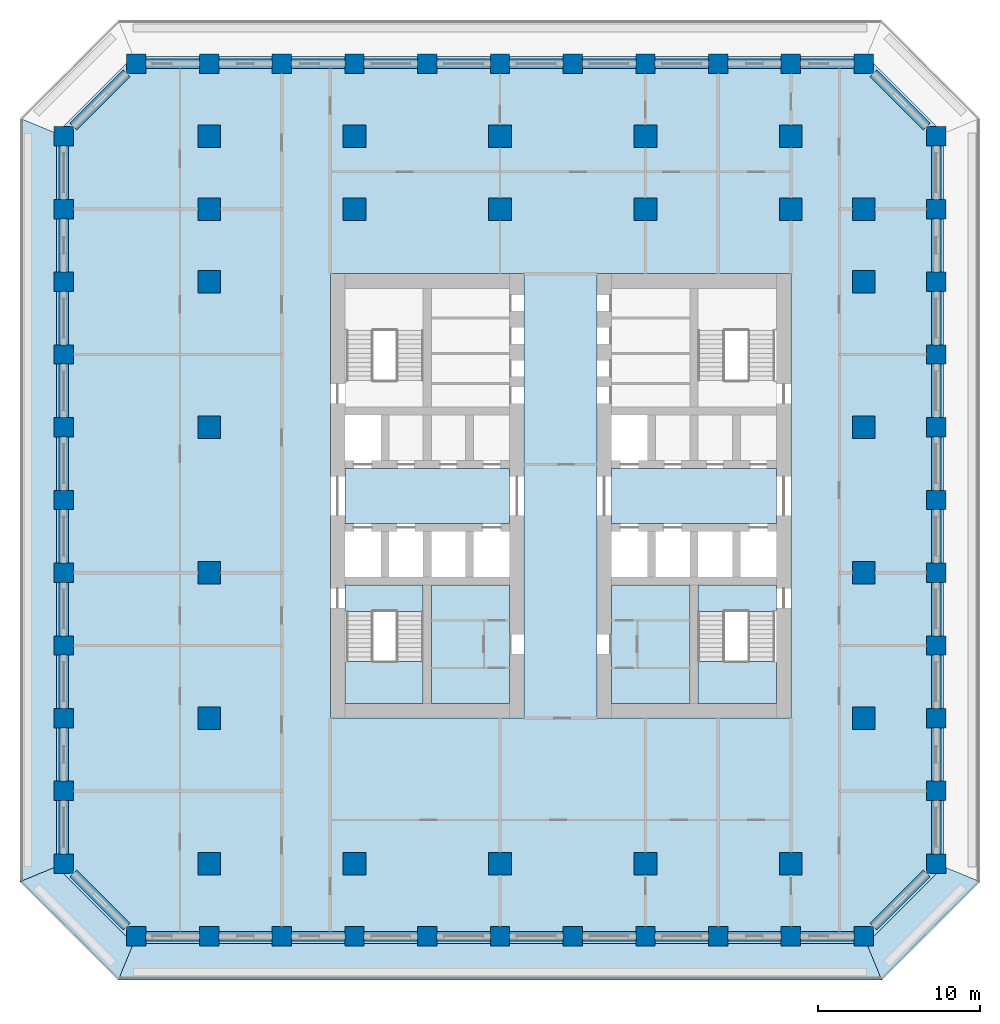
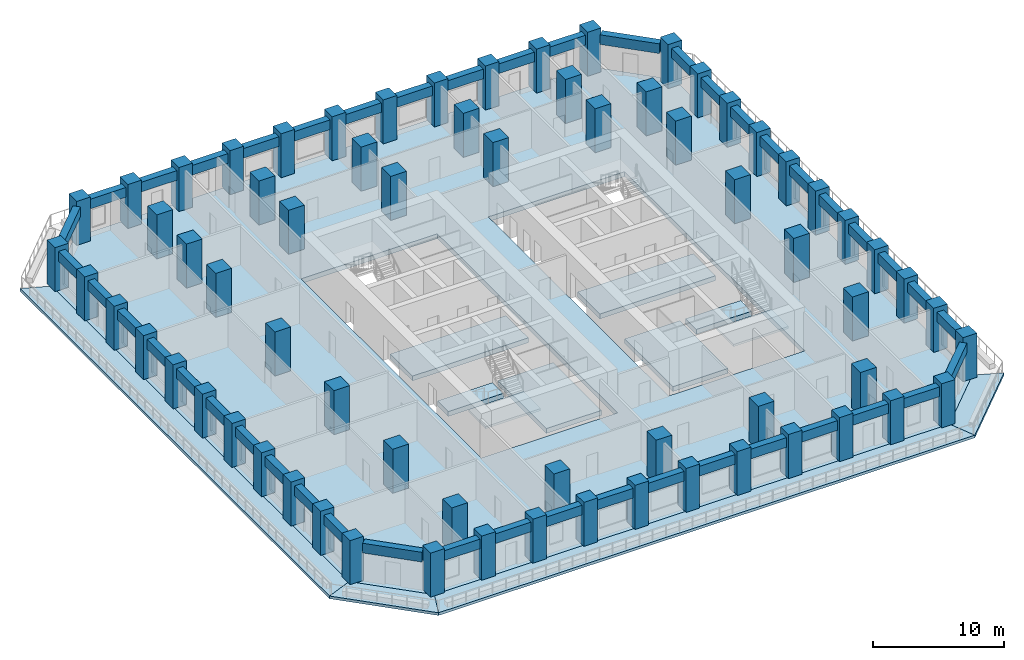
# One storey, part 1 of 16: 68 columns, 44 beams, 13 slabs, 2 elements without a shape of their own.
"""IFC4 building model written with IfcOpenShell, lengths in metres."""

import ifcopenshell
import ifcopenshell.guid

model = None  # the IFC model being written
_history = None  # IfcOwnerHistory: only IFC2X3 demands one
_inside = {}  # id of a spatial element -> (the spatial element, [elements in it])
_under = {}  # id of a project, library or spatial element -> (it, [spatial elements below it])
_declared = {}  # id of a project -> (the project, [libraries it declares])
_typed = {}  # id of a type object -> (the type object, [elements of that type])
_made_of = {}  # id of a material, layer set ... -> (it, [elements and type objects made of it])


def new_model(schema):
    """Start an empty IFC model of exactly this schema.

    Asked for "IFC4X3", IfcOpenShell would pick the latest addendum, in which some entities
    have other attributes; the version numbers below select the first issue.
    IFC2X3 requires an IfcOwnerHistory on every rooted entity: one is made here for all.
    """
    global model, _history
    if schema == "IFC4X3":
        model = ifcopenshell.file(schema_version=(4, 3, 0, 0))
    else:
        model = ifcopenshell.file(schema=schema)
    _inside.clear()
    _under.clear()
    _declared.clear()
    _typed.clear()
    _made_of.clear()
    _history = None
    if model.schema == "IFC2X3":
        org = make("IfcOrganization", Name="unknown")
        user = make(
            "IfcPersonAndOrganization",
            ThePerson=make("IfcPerson", FamilyName="unknown"),
            TheOrganization=org,
        )
        app = make(
            "IfcApplication",
            ApplicationDeveloper=org,
            Version="unknown",
            ApplicationFullName="unknown",
            ApplicationIdentifier="unknown",
        )
        _history = make(
            "IfcOwnerHistory",
            OwningUser=user,
            OwningApplication=app,
            ChangeAction="ADDED",
            CreationDate=0,
        )
    return model


def make(cls, **values):
    """One entity of the class cls with the attributes given. An attribute that is None is left unset."""
    return model.create_entity(
        cls, **{name: value for name, value in values.items() if value is not None}
    )


def rooted(cls, **values):
    """An entity with a GlobalId (a new one), such as an element, a storey or a relation."""
    return make(cls, GlobalId=ifcopenshell.guid.new(), OwnerHistory=_history, **values)


def si_unit(unit_type, name, prefix=None):
    """IfcSIUnit, for example si_unit("LENGTHUNIT", "METRE", prefix="MILLI")."""
    return make("IfcSIUnit", UnitType=unit_type, Prefix=prefix, Name=name)


def assignment(units):
    """IfcUnitAssignment: the units of a project."""
    return None if units is None else make("IfcUnitAssignment", Units=units)


def point(xyz):
    """IfcCartesianPoint."""
    return None if xyz is None else make("IfcCartesianPoint", Coordinates=xyz)


def direction(xyz):
    """IfcDirection."""
    return None if xyz is None else make("IfcDirection", DirectionRatios=xyz)


def frame(location, z_axis=None, x_axis=None):
    """IfcAxis2Placement3D, a coordinate frame: its origin and axes. An axis left out is left unset."""
    return make(
        "IfcAxis2Placement3D",
        Location=point(location),
        Axis=direction(z_axis),
        RefDirection=direction(x_axis),
    )


def frame_2d(location, x_axis=None):
    """IfcAxis2Placement2D, a coordinate frame in the plane: its origin and x axis."""
    return make(
        "IfcAxis2Placement2D", Location=point(location), RefDirection=direction(x_axis)
    )


def origin():
    """The frame at (0, 0, 0) with its axes left unset."""
    return frame((0.0, 0.0, 0.0))


def origin_2d():
    """The frame at (0, 0) in the plane with its x axis left unset."""
    return frame_2d((0.0, 0.0))


def place(relative_to, where):
    """IfcLocalPlacement: puts the frame where relative to a parent placement (None: the world)."""
    return make(
        "IfcLocalPlacement", PlacementRelTo=relative_to, RelativePlacement=where
    )


def context(
    kind, dimensions, precision=None, world=None, true_north=None, identifier=None
):
    """IfcGeometricRepresentationContext, for example the 3D "Model" context."""
    return make(
        "IfcGeometricRepresentationContext",
        ContextIdentifier=identifier,
        ContextType=kind,
        CoordinateSpaceDimension=dimensions,
        Precision=precision,
        WorldCoordinateSystem=world,
        TrueNorth=true_north,
    )


def subcontext(parent, identifier, kind, view, scale=None):
    """IfcGeometricRepresentationSubContext, for example "Body" below "Model"."""
    return make(
        "IfcGeometricRepresentationSubContext",
        ContextIdentifier=identifier,
        ContextType=kind,
        ParentContext=parent,
        TargetScale=scale,
        TargetView=view,
    )


def project(units=None, contexts=None):
    """IfcProject with its units and contexts."""
    return rooted(
        "IfcProject",
        Name="project",
        RepresentationContexts=contexts,
        UnitsInContext=assignment(units),
    )


def spatial(cls, under=None, at=None, **own):
    """A site, building, storey or space (cls), placed at a placement, below another one or the project."""
    s = rooted(cls, ObjectPlacement=at, **own)
    if under is not None:
        _under.setdefault(under.id(), (under, []))[1].append(s)
    return s


def polyline(points):
    """IfcPolyline through the points."""
    return make("IfcPolyline", Points=[point(p) for p in points])


def profile(cls, at=None, kind="AREA", **sizes):
    """A parametric profile (cls). Its sizes go by their IFC names, for example OverallWidth=200.0."""
    return make(cls, ProfileType=kind, Position=at, **sizes)


def rectangle(**sizes):
    """IfcRectangleProfileDef."""
    return profile("IfcRectangleProfileDef", **sizes)


def outline(outer, holes=None, kind="AREA"):
    """IfcArbitraryClosedProfileDef: a profile drawn as a closed curve; with holes, ...WithVoids."""
    if holes is None:
        return make("IfcArbitraryClosedProfileDef", ProfileType=kind, OuterCurve=outer)
    return make(
        "IfcArbitraryProfileDefWithVoids",
        ProfileType=kind,
        OuterCurve=outer,
        InnerCurves=holes,
    )


def extrude(swept, where, along, depth):
    """IfcExtrudedAreaSolid: the profile swept, set in the frame where, extruded along a direction by depth."""
    return make(
        "IfcExtrudedAreaSolid",
        SweptArea=swept,
        Position=where,
        ExtrudedDirection=direction(along),
        Depth=depth,
    )


def shape(context_of_items, identifier, shape_type, items):
    """IfcShapeRepresentation: the items that make up one representation, for example the "Body"."""
    return make(
        "IfcShapeRepresentation",
        ContextOfItems=context_of_items,
        RepresentationIdentifier=identifier,
        RepresentationType=shape_type,
        Items=items,
    )


def material(Name=None, Category=None):
    """IfcMaterial."""
    return make("IfcMaterial", Name=Name, Category=Category)


def layer(
    of_material, thickness, ventilated=None, Name=None, Category=None, Priority=None
):
    """IfcMaterialLayer: one layer of a wall or slab, of a material (None: an air gap)."""
    return make(
        "IfcMaterialLayer",
        Material=of_material,
        LayerThickness=thickness,
        IsVentilated=ventilated,
        Name=Name,
        Category=Category,
        Priority=Priority,
    )


def layer_set(layers, Name=None):
    """IfcMaterialLayerSet."""
    return make("IfcMaterialLayerSet", MaterialLayers=layers, LayerSetName=Name)


def material_profile(
    of_material, cross_section, Name=None, Category=None, Priority=None
):
    """IfcMaterialProfile: a cross section and its material."""
    return make(
        "IfcMaterialProfile",
        Name=Name,
        Material=of_material,
        Profile=cross_section,
        Priority=Priority,
        Category=Category,
    )


def profile_set(profiles, Name=None, composite=None):
    """IfcMaterialProfileSet."""
    return make(
        "IfcMaterialProfileSet",
        Name=Name,
        MaterialProfiles=profiles,
        CompositeProfile=composite,
    )


def made_of(thing, what):
    """Note that an element or type object is made of a material, layer set ...; save() writes the relation."""
    if what is not None:
        _made_of.setdefault(what.id(), (what, []))[1].append(thing)
    return thing


def type_object(cls, material=None, **own):
    """A type object (cls), such as IfcWallType, which elements share."""
    return made_of(rooted(cls, **own), material)


def element(
    cls,
    number,
    at=None,
    inside=None,
    cuts=None,
    type_object=None,
    material=None,
    context=None,
    identifier="Body",
    shape_type=None,
    held_by="IfcProductDefinitionShape",
    body=None,
    shapes=None,
    **own,
):
    """One element of the class cls, such as IfcWall. Its Tag is "e" and its number.

    at: its placement. inside: the storey or other place that contains it. cuts: it is an
    opening in that element (IfcRelVoidsElement). A single representation is given by context,
    identifier, shape_type and body (its items); several are given by shapes. held_by: the class
    of the entity that holds the representations. save() writes the other relations.
    """
    e = rooted(cls, Tag="e%d" % number, ObjectPlacement=at, **own)
    if body is not None:
        shapes = [shape(context, identifier, shape_type, body)]
    if shapes is not None:
        e.Representation = make(held_by, Representations=shapes)
    if inside is not None:
        _inside.setdefault(inside.id(), (inside, []))[1].append(e)
    if cuts is not None:
        rooted(
            "IfcRelVoidsElement", RelatingBuildingElement=cuts, RelatedOpeningElement=e
        )
    if type_object is not None:
        _typed.setdefault(type_object.id(), (type_object, []))[1].append(e)
    return made_of(e, material)


def aggregate(whole, parts):
    """IfcRelAggregates: a whole, such as a stair, and the parts it consists of."""
    return rooted("IfcRelAggregates", RelatingObject=whole, RelatedObjects=parts)


def save(model, path):
    """Write the relations noted so far, then the file.

    IfcRelAggregates (storeys below a building ...), IfcRelContainedInSpatialStructure (elements
    in a storey), IfcRelDefinesByType, IfcRelAssociatesMaterial and IfcRelDeclares: one each for
    every whole, place, type object, material and project.
    """
    for whole, parts in _under.values():
        aggregate(whole, parts)
    for where, things in _inside.values():
        rooted(
            "IfcRelContainedInSpatialStructure",
            RelatedElements=things,
            RelatingStructure=where,
        )
    for kind, things in _typed.values():
        rooted("IfcRelDefinesByType", RelatedObjects=things, RelatingType=kind)
    for what, things in _made_of.values():
        rooted("IfcRelAssociatesMaterial", RelatedObjects=things, RelatingMaterial=what)
    for by, libraries in _declared.values():
        rooted("IfcRelDeclares", RelatingContext=by, RelatedDefinitions=libraries)
    model.write(path)


model = new_model("IFC4")

# Units and contexts
model_context = context("Model", 3, precision=1e-05, world=origin(), true_north=direction((0.0, 1.0)))
body_context = subcontext(model_context, "Body", "Model", "MODEL_VIEW")
ifc_project = project(units=[si_unit("LENGTHUNIT", "METRE"), si_unit("AREAUNIT", "SQUARE_METRE"), si_unit("VOLUMEUNIT", "CUBIC_METRE"), si_unit("PLANEANGLEUNIT", "RADIAN"), si_unit("MASSUNIT", "GRAM", prefix="KILO")], contexts=[model_context])

# Site, building, storey
site_placement = place(None, origin())
site = spatial("IfcSite", under=ifc_project, at=site_placement, CompositionType="ELEMENT")
building_placement = place(site_placement, origin())
building = spatial("IfcBuilding", under=site, at=building_placement, Name="Corbel Stack Research Tower", CompositionType="ELEMENT")
storey_placement = place(building_placement, frame((0.0, 0.0, 120.800048828125)))
storey = spatial("IfcBuildingStorey", under=building, at=storey_placement, Name="L27", CompositionType="ELEMENT", Elevation=120.800048828125)

# Columns
ifc_material_1 = material(Name="Concrete C70/85", Category="concrete")
ifc_material_profile_1 = material_profile(ifc_material_1, rectangle(XDim=1.199951171875, YDim=1.199951171875, at=origin_2d()), Name="RC 1200 x 1200")
ifc_profile_set_1 = profile_set([ifc_material_profile_1], Name="Concrete C70/85")
column_type_1 = type_object("IfcColumnType", Name="C-1200-70", PredefinedType="COLUMN", material=ifc_profile_set_1)
for number, where, z_axis, x_axis, name in (
    (1, (-27.0, -18.0, 0.0), (0.0, 0.0, 1.0), (1.0, 0.0, 0.0), "Column 2/D L27"),
    (2, (-27.0, -13.5, 0.0), (0.0, 0.0, 1.0), (1.0, 0.0, 0.0), "Column 2/E L27"),
    (3, (-27.0, -9.0, 0.0), (0.0, 0.0, 1.0), (1.0, 0.0, 0.0), "Column 2/F L27"),
    (4, (-27.0, -4.5, 0.0), (0.0, 0.0, 1.0), (1.0, 0.0, 0.0), "Column 2/G L27"),
    (5, (-27.0, 0.0, 0.0), (0.0, 0.0, 1.0), (1.0, 0.0, 0.0), "Column 2/H L27"),
    (6, (-27.0, 4.5, 0.0), (0.0, 0.0, 1.0), (1.0, 0.0, 0.0), "Column 2/J L27"),
    (7, (-27.0, 9.0, 0.0), (0.0, 0.0, 1.0), (1.0, 0.0, 0.0), "Column 2/K L27"),
    (8, (-27.0, 13.5, 0.0), (0.0, 0.0, 1.0), (1.0, 0.0, 0.0), "Column 2/L L27"),
    (9, (-27.0, 18.0, 0.0), (0.0, 0.0, 1.0), (1.0, 0.0, 0.0), "Column 2/M L27"),
    (10, (-27.0, 22.5, 0.0), (0.0, 0.0, 1.0), (1.0, 0.0, 0.0), "Column 2/N L27"),
    (11, (-27.0, 27.0, 0.0), (0.0, 0.0, 1.0), (1.0, 0.0, 0.0), "Column 2/P L27"),
    (12, (-22.5, -22.5, 0.0), (0.0, 0.0, 1.0), (1.0, 0.0, 0.0), "Column 3/C L27"),
    (13, (-22.5, 31.5, 0.0), (0.0, 0.0, 1.0), (1.0, 0.0, 0.0), "Column 3/Q L27"),
    (14, (-18.0, -22.5, 0.0), (0.0, 0.0, 1.0), (1.0, 0.0, 0.0), "Column 4/C L27"),
    (15, (-18.0, 31.5, 0.0), (0.0, 0.0, 1.0), (1.0, 0.0, 0.0), "Column 4/Q L27"),
    (16, (-13.5, -22.5, 0.0), (0.0, 0.0, 1.0), (1.0, 0.0, 0.0), "Column 5/C L27"),
    (17, (-13.5, 31.5, 0.0), (0.0, 0.0, 1.0), (1.0, 0.0, 0.0), "Column 5/Q L27"),
    (18, (-9.0, -22.5, 0.0), (0.0, 0.0, 1.0), (1.0, 0.0, 0.0), "Column 6/C L27"),
    (19, (-9.0, 31.5, 0.0), (0.0, 0.0, 1.0), (1.0, 0.0, 0.0), "Column 6/Q L27"),
    (20, (-4.5, -22.5, 0.0), (0.0, 0.0, 1.0), (1.0, 0.0, 0.0), "Column 7/C L27"),
    (21, (-4.5, 31.5, 0.0), (0.0, 0.0, 1.0), (1.0, 0.0, 0.0), "Column 7/Q L27"),
    (22, (0.0, -22.5, 0.0), (0.0, 0.0, 1.0), (1.0, 0.0, 0.0), "Column 8/C L27"),
    (23, (0.0, 31.5, 0.0), (0.0, 0.0, 1.0), (1.0, 0.0, 0.0), "Column 8/Q L27"),
    (24, (4.5, -22.5, 0.0), (0.0, 0.0, 1.0), (1.0, 0.0, 0.0), "Column 9/C L27"),
    (25, (4.5, 31.5, 0.0), (0.0, 0.0, 1.0), (1.0, 0.0, 0.0), "Column 9/Q L27"),
    (26, (9.0, -22.5, 0.0), (0.0, 0.0, 1.0), (1.0, 0.0, 0.0), "Column 10/C L27"),
    (27, (9.0, 31.5, 0.0), (0.0, 0.0, 1.0), (1.0, 0.0, 0.0), "Column 10/Q L27"),
    (28, (13.5, -22.5, 0.0), (0.0, 0.0, 1.0), (1.0, 0.0, 0.0), "Column 11/C L27"),
    (29, (13.5, 31.5, 0.0), (0.0, 0.0, 1.0), (1.0, 0.0, 0.0), "Column 11/Q L27"),
    (30, (18.0, -22.5, 0.0), (0.0, 0.0, 1.0), (1.0, 0.0, 0.0), "Column 12/C L27"),
    (31, (18.0, 31.5, 0.0), (0.0, 0.0, 1.0), (1.0, 0.0, 0.0), "Column 12/Q L27"),
    (32, (22.5, -22.5, 0.0), (0.0, 0.0, 1.0), (1.0, 0.0, 0.0), "Column 13/C L27"),
    (33, (22.5, 31.5, 0.0), (0.0, 0.0, 1.0), (1.0, 0.0, 0.0), "Column 13/Q L27"),
    (34, (27.0, -18.0, 0.0), (0.0, 0.0, 1.0), (1.0, 0.0, 0.0), "Column 14/D L27"),
    (35, (27.0, -13.5, 0.0), (0.0, 0.0, 1.0), (1.0, 0.0, 0.0), "Column 14/E L27"),
    (36, (27.0, -9.0, 0.0), (0.0, 0.0, 1.0), (1.0, 0.0, 0.0), "Column 14/F L27"),
    (37, (27.0, -4.5, 0.0), (0.0, 0.0, 1.0), (1.0, 0.0, 0.0), "Column 14/G L27"),
    (38, (27.0, 0.0, 0.0), (0.0, 0.0, 1.0), (1.0, 0.0, 0.0), "Column 14/H L27"),
    (39, (27.0, 4.5, 0.0), (0.0, 0.0, 1.0), (1.0, 0.0, 0.0), "Column 14/J L27"),
    (40, (27.0, 9.0, 0.0), (0.0, 0.0, 1.0), (1.0, 0.0, 0.0), "Column 14/K L27"),
    (41, (27.0, 13.5, 0.0), (0.0, 0.0, 1.0), (1.0, 0.0, 0.0), "Column 14/L L27"),
    (42, (27.0, 18.0, 0.0), (0.0, 0.0, 1.0), (1.0, 0.0, 0.0), "Column 14/M L27"),
    (43, (27.0, 22.5, 0.0), (0.0, 0.0, 1.0), (1.0, 0.0, 0.0), "Column 14/N L27"),
    (44, (27.0, 27.0, 0.0), (0.0, 0.0, 1.0), (1.0, 0.0, 0.0), "Column 14/P L27"),
):
    element("IfcColumn", number, at=place(storey_placement, frame(where, z_axis=z_axis, x_axis=x_axis)), inside=storey, type_object=column_type_1, Name=name, PredefinedType="COLUMN", context=body_context, shape_type="SweptSolid", body=[
        extrude(rectangle(XDim=1.199951171875, YDim=1.199951171875, at=origin_2d()), origin(), (0.0, 0.0, 1.0), 4.099853515625),
    ])
ifc_material_2 = material(Name="Concrete C70/85", Category="concrete")
ifc_material_profile_2 = material_profile(ifc_material_2, rectangle(XDim=1.39990234375, YDim=1.39990234375, at=origin_2d()), Name="RC 1400 x 1400")
ifc_profile_set_2 = profile_set([ifc_material_profile_2], Name="Concrete C70/85")
column_type_2 = type_object("IfcColumnType", Name="C-1400-70", PredefinedType="COLUMN", material=ifc_profile_set_2)
for number, where, z_axis, x_axis, name in (
    (45, (-18.0, -18.0, 0.0), (0.0, 0.0, 1.0), (1.0, 0.0, 0.0), "Column 4/D L27"),
    (46, (-18.0, -9.0, 0.0), (0.0, 0.0, 1.0), (1.0, 0.0, 0.0), "Column 4/F L27"),
    (47, (-18.0, 0.0, 0.0), (0.0, 0.0, 1.0), (1.0, 0.0, 0.0), "Column 4/H L27"),
    (48, (-18.0, 9.0, 0.0), (0.0, 0.0, 1.0), (1.0, 0.0, 0.0), "Column 4/K L27"),
    (49, (-18.0, 18.0, 0.0), (0.0, 0.0, 1.0), (1.0, 0.0, 0.0), "Column 4/M L27"),
    (50, (-18.0, 22.5, 0.0), (0.0, 0.0, 1.0), (1.0, 0.0, 0.0), "Column 4/N L27"),
    (51, (-18.0, 27.0, 0.0), (0.0, 0.0, 1.0), (1.0, 0.0, 0.0), "Column 4/P L27"),
    (52, (-9.0, -18.0, 0.0), (0.0, 0.0, 1.0), (1.0, 0.0, 0.0), "Column 6/D L27"),
    (53, (-9.0, 22.5, 0.0), (0.0, 0.0, 1.0), (1.0, 0.0, 0.0), "Column 6/N L27"),
    (54, (-9.0, 27.0, 0.0), (0.0, 0.0, 1.0), (1.0, 0.0, 0.0), "Column 6/P L27"),
    (55, (0.0, -18.0, 0.0), (0.0, 0.0, 1.0), (1.0, 0.0, 0.0), "Column 8/D L27"),
    (56, (0.0, 22.5, 0.0), (0.0, 0.0, 1.0), (1.0, 0.0, 0.0), "Column 8/N L27"),
    (57, (0.0, 27.0, 0.0), (0.0, 0.0, 1.0), (1.0, 0.0, 0.0), "Column 8/P L27"),
    (58, (9.0, -18.0, 0.0), (0.0, 0.0, 1.0), (1.0, 0.0, 0.0), "Column 10/D L27"),
    (59, (9.0, 22.5, 0.0), (0.0, 0.0, 1.0), (1.0, 0.0, 0.0), "Column 10/N L27"),
    (60, (9.0, 27.0, 0.0), (0.0, 0.0, 1.0), (1.0, 0.0, 0.0), "Column 10/P L27"),
    (61, (18.0, -18.0, 0.0), (0.0, 0.0, 1.0), (1.0, 0.0, 0.0), "Column 12/D L27"),
    (62, (18.0, 22.5, 0.0), (0.0, 0.0, 1.0), (1.0, 0.0, 0.0), "Column 12/N L27"),
    (63, (18.0, 27.0, 0.0), (0.0, 0.0, 1.0), (1.0, 0.0, 0.0), "Column 12/P L27"),
    (64, (22.5, -9.0, 0.0), (0.0, 0.0, 1.0), (1.0, 0.0, 0.0), "Column 13/F L27"),
    (65, (22.5, 0.0, 0.0), (0.0, 0.0, 1.0), (1.0, 0.0, 0.0), "Column 13/H L27"),
    (66, (22.5, 9.0, 0.0), (0.0, 0.0, 1.0), (1.0, 0.0, 0.0), "Column 13/K L27"),
    (67, (22.5, 18.0, 0.0), (0.0, 0.0, 1.0), (1.0, 0.0, 0.0), "Column 13/M L27"),
    (68, (22.5, 22.5, 0.0), (0.0, 0.0, 1.0), (1.0, 0.0, 0.0), "Column 13/N L27"),
):
    element("IfcColumn", number, at=place(storey_placement, frame(where, z_axis=z_axis, x_axis=x_axis)), inside=storey, type_object=column_type_2, Name=name, PredefinedType="COLUMN", context=body_context, shape_type="SweptSolid", body=[
        extrude(rectangle(XDim=1.39990234375, YDim=1.39990234375, at=origin_2d()), origin(), (0.0, 0.0, 1.0), 4.099853515625),
    ])

# Beams
ifc_material_3 = material(Name="Concrete C60/75", Category="concrete")
ifc_material_profile_3 = material_profile(ifc_material_3, rectangle(XDim=0.60009765625, YDim=0.89990234375, at=origin_2d()), Name="RC 600 x 900")
ifc_profile_set_3 = profile_set([ifc_material_profile_3], Name="Concrete C60/75")
beam_type = type_object("IfcBeamType", Name="SB-600-900-450", PredefinedType="SPANDREL", material=ifc_profile_set_3)
for number, where, z_axis, x_axis, name in (
    (69, (-21.89990234375, -22.5, 3.199951171875), (1.0, 0.0, 0.0), (0.0, 1.0, 0.0), "Spandrel beam L27-01"),
    (70, (-17.39990234375, -22.5, 3.199951171875), (1.0, 0.0, 0.0), (0.0, 1.0, 0.0), "Spandrel beam L27-02"),
    (71, (-12.89990234375, -22.5, 3.199951171875), (1.0, 0.0, 0.0), (0.0, 1.0, 0.0), "Spandrel beam L27-03"),
    (72, (-8.39990234375, -22.5, 3.199951171875), (1.0, 0.0, 0.0), (0.0, 1.0, 0.0), "Spandrel beam L27-04"),
    (73, (-3.89990234375, -22.5, 3.199951171875), (1.0, 0.0, 0.0), (0.0, 1.0, 0.0), "Spandrel beam L27-05"),
    (74, (0.60009765625, -22.5, 3.199951171875), (1.0, 0.0, 0.0), (0.0, 1.0, 0.0), "Spandrel beam L27-06"),
    (75, (5.10009765625, -22.5, 3.199951171875), (1.0, 0.0, 0.0), (0.0, 1.0, 0.0), "Spandrel beam L27-07"),
    (76, (9.60009765625, -22.5, 3.199951171875), (1.0, 0.0, 0.0), (0.0, 1.0, 0.0), "Spandrel beam L27-08"),
    (77, (14.10009765625, -22.5, 3.199951171875), (1.0, 0.0, 0.0), (0.0, 1.0, 0.0), "Spandrel beam L27-09"),
    (78, (18.60009765625, -22.5, 3.199951171875), (1.0, 0.0, 0.0), (0.0, 1.0, 0.0), "Spandrel beam L27-10"),
):
    element("IfcBeam", number, at=place(storey_placement, frame(where, z_axis=z_axis, x_axis=x_axis)), inside=storey, type_object=beam_type, Name=name, PredefinedType="SPANDREL", context=body_context, shape_type="SweptSolid", body=[
        extrude(rectangle(XDim=0.60009765625, YDim=0.89990234375, at=origin_2d()), origin(), (0.0, 0.0, 1.0), 3.2998046875),
    ])
beam_1_placement = place(storey_placement, frame((23.10009765625, -21.89990234375, 3.199951171875), z_axis=(0.707106781187, 0.707106781187, 0.0), x_axis=(-0.707106781187, 0.707106781187, 0.0)))
element("IfcBeam", 79, at=beam_1_placement, inside=storey, type_object=beam_type, Name="Spandrel beam L27-11", PredefinedType="SPANDREL", context=body_context, shape_type="SweptSolid", body=[
    extrude(rectangle(XDim=0.60009765625, YDim=0.89990234375, at=origin_2d()), origin(), (0.0, 0.0, 1.0), 4.666748046875),
])
for number, where, z_axis, x_axis, name in (
    (80, (27.0, -17.39990234375, 3.199951171875), (0.0, 1.0, 0.0), (-1.0, 0.0, 0.0), "Spandrel beam L27-12"),
    (81, (27.0, -12.89990234375, 3.199951171875), (0.0, 1.0, 0.0), (-1.0, 0.0, 0.0), "Spandrel beam L27-13"),
    (82, (27.0, -8.39990234375, 3.199951171875), (0.0, 1.0, 0.0), (-1.0, 0.0, 0.0), "Spandrel beam L27-14"),
    (83, (27.0, -3.89990234375, 3.199951171875), (0.0, 1.0, 0.0), (-1.0, 0.0, 0.0), "Spandrel beam L27-15"),
    (84, (27.0, 0.60009765625, 3.199951171875), (0.0, 1.0, 0.0), (-1.0, 0.0, 0.0), "Spandrel beam L27-16"),
    (85, (27.0, 5.10009765625, 3.199951171875), (0.0, 1.0, 0.0), (-1.0, 0.0, 0.0), "Spandrel beam L27-17"),
    (86, (27.0, 9.60009765625, 3.199951171875), (0.0, 1.0, 0.0), (-1.0, 0.0, 0.0), "Spandrel beam L27-18"),
    (87, (27.0, 14.10009765625, 3.199951171875), (0.0, 1.0, 0.0), (-1.0, 0.0, 0.0), "Spandrel beam L27-19"),
    (88, (27.0, 18.60009765625, 3.199951171875), (0.0, 1.0, 0.0), (-1.0, 0.0, 0.0), "Spandrel beam L27-20"),
    (89, (27.0, 23.10009765625, 3.199951171875), (0.0, 1.0, 0.0), (-1.0, 0.0, 0.0), "Spandrel beam L27-21"),
):
    element("IfcBeam", number, at=place(storey_placement, frame(where, z_axis=z_axis, x_axis=x_axis)), inside=storey, type_object=beam_type, Name=name, PredefinedType="SPANDREL", context=body_context, shape_type="SweptSolid", body=[
        extrude(rectangle(XDim=0.60009765625, YDim=0.89990234375, at=origin_2d()), origin(), (0.0, 0.0, 1.0), 3.2998046875),
    ])
beam_2_placement = place(storey_placement, frame((26.39990234375, 27.60009765625, 3.199951171875), z_axis=(-0.707106781187, 0.707106781187, 0.0), x_axis=(-0.707106781187, -0.707106781187, 0.0)))
element("IfcBeam", 90, at=beam_2_placement, inside=storey, type_object=beam_type, Name="Spandrel beam L27-22", PredefinedType="SPANDREL", context=body_context, shape_type="SweptSolid", body=[
    extrude(rectangle(XDim=0.60009765625, YDim=0.89990234375, at=origin_2d()), origin(), (0.0, 0.0, 1.0), 4.666748046875),
])
for number, where, z_axis, x_axis, name in (
    (91, (21.89990234375, 31.5, 3.199951171875), (-1.0, 0.0, 0.0), (0.0, -1.0, 0.0), "Spandrel beam L27-23"),
    (92, (17.39990234375, 31.5, 3.199951171875), (-1.0, 0.0, 0.0), (0.0, -1.0, 0.0), "Spandrel beam L27-24"),
    (93, (12.89990234375, 31.5, 3.199951171875), (-1.0, 0.0, 0.0), (0.0, -1.0, 0.0), "Spandrel beam L27-25"),
    (94, (8.39990234375, 31.5, 3.199951171875), (-1.0, 0.0, 0.0), (0.0, -1.0, 0.0), "Spandrel beam L27-26"),
    (95, (3.89990234375, 31.5, 3.199951171875), (-1.0, 0.0, 0.0), (0.0, -1.0, 0.0), "Spandrel beam L27-27"),
    (96, (-0.60009765625, 31.5, 3.199951171875), (-1.0, 0.0, 0.0), (0.0, -1.0, 0.0), "Spandrel beam L27-28"),
    (97, (-5.10009765625, 31.5, 3.199951171875), (-1.0, 0.0, 0.0), (0.0, -1.0, 0.0), "Spandrel beam L27-29"),
    (98, (-9.60009765625, 31.5, 3.199951171875), (-1.0, 0.0, 0.0), (0.0, -1.0, 0.0), "Spandrel beam L27-30"),
    (99, (-14.10009765625, 31.5, 3.199951171875), (-1.0, 0.0, 0.0), (0.0, -1.0, 0.0), "Spandrel beam L27-31"),
    (100, (-18.60009765625, 31.5, 3.199951171875), (-1.0, 0.0, 0.0), (0.0, -1.0, 0.0), "Spandrel beam L27-32"),
):
    element("IfcBeam", number, at=place(storey_placement, frame(where, z_axis=z_axis, x_axis=x_axis)), inside=storey, type_object=beam_type, Name=name, PredefinedType="SPANDREL", context=body_context, shape_type="SweptSolid", body=[
        extrude(rectangle(XDim=0.60009765625, YDim=0.89990234375, at=origin_2d()), origin(), (0.0, 0.0, 1.0), 3.2998046875),
    ])
beam_3_placement = place(storey_placement, frame((-23.10009765625, 30.89990234375, 3.199951171875), z_axis=(-0.707106781187, -0.707106781187, 0.0), x_axis=(0.707106781187, -0.707106781187, 0.0)))
element("IfcBeam", 101, at=beam_3_placement, inside=storey, type_object=beam_type, Name="Spandrel beam L27-33", PredefinedType="SPANDREL", context=body_context, shape_type="SweptSolid", body=[
    extrude(rectangle(XDim=0.60009765625, YDim=0.89990234375, at=origin_2d()), origin(), (0.0, 0.0, 1.0), 4.666748046875),
])
for number, where, z_axis, x_axis, name in (
    (102, (-27.0, 26.39990234375, 3.199951171875), (0.0, -1.0, 0.0), (1.0, 0.0, 0.0), "Spandrel beam L27-34"),
    (103, (-27.0, 21.89990234375, 3.199951171875), (0.0, -1.0, 0.0), (1.0, 0.0, 0.0), "Spandrel beam L27-35"),
    (104, (-27.0, 17.39990234375, 3.199951171875), (0.0, -1.0, 0.0), (1.0, 0.0, 0.0), "Spandrel beam L27-36"),
    (105, (-27.0, 12.89990234375, 3.199951171875), (0.0, -1.0, 0.0), (1.0, 0.0, 0.0), "Spandrel beam L27-37"),
    (106, (-27.0, 8.39990234375, 3.199951171875), (0.0, -1.0, 0.0), (1.0, 0.0, 0.0), "Spandrel beam L27-38"),
    (107, (-27.0, 3.89990234375, 3.199951171875), (0.0, -1.0, 0.0), (1.0, 0.0, 0.0), "Spandrel beam L27-39"),
    (108, (-27.0, -0.60009765625, 3.199951171875), (0.0, -1.0, 0.0), (1.0, 0.0, 0.0), "Spandrel beam L27-40"),
    (109, (-27.0, -5.10009765625, 3.199951171875), (0.0, -1.0, 0.0), (1.0, 0.0, 0.0), "Spandrel beam L27-41"),
    (110, (-27.0, -9.60009765625, 3.199951171875), (0.0, -1.0, 0.0), (1.0, 0.0, 0.0), "Spandrel beam L27-42"),
    (111, (-27.0, -14.10009765625, 3.199951171875), (0.0, -1.0, 0.0), (1.0, 0.0, 0.0), "Spandrel beam L27-43"),
):
    element("IfcBeam", number, at=place(storey_placement, frame(where, z_axis=z_axis, x_axis=x_axis)), inside=storey, type_object=beam_type, Name=name, PredefinedType="SPANDREL", context=body_context, shape_type="SweptSolid", body=[
        extrude(rectangle(XDim=0.60009765625, YDim=0.89990234375, at=origin_2d()), origin(), (0.0, 0.0, 1.0), 3.2998046875),
    ])
beam_4_placement = place(storey_placement, frame((-26.39990234375, -18.60009765625, 3.199951171875), z_axis=(0.707106781187, -0.707106781187, 0.0), x_axis=(0.707106781187, 0.707106781187, 0.0)))
element("IfcBeam", 112, at=beam_4_placement, inside=storey, type_object=beam_type, Name="Spandrel beam L27-44", PredefinedType="SPANDREL", context=body_context, shape_type="SweptSolid", body=[
    extrude(rectangle(XDim=0.60009765625, YDim=0.89990234375, at=origin_2d()), origin(), (0.0, 0.0, 1.0), 4.666748046875),
])

# Slabs
ifc_material_4 = material(Name="Concrete C45/55", Category="concrete")
ifc_layer_1 = layer(ifc_material_4, 0.25)
ifc_layer_set_1 = layer_set([ifc_layer_1], Name="Concrete C45/55")
slab_type_1 = type_object("IfcSlabType", Name="PT balcony slab 250 C45/55", PredefinedType="FLOOR", material=ifc_layer_set_1)
slab_1_placement = place(storey_placement, frame((0.0, 0.0, -0.25)))
element("IfcSlab", 113, at=slab_1_placement, inside=storey, type_object=slab_type_1, Name="Loggia slab L27 S", PredefinedType="FLOOR", context=body_context, shape_type="SweptSolid", body=[
    extrude(outline(polyline([(22.74853515625, -23.10009765625), (21.89990234375, -23.10009765625), (21.89990234375, -22.949951171875), (18.60009765625, -22.949951171875), (18.60009765625, -23.10009765625), (17.39990234375, -23.10009765625), (17.39990234375, -22.949951171875), (14.10009765625, -22.949951171875), (14.10009765625, -23.10009765625), (12.89990234375, -23.10009765625), (12.89990234375, -22.949951171875), (9.60009765625, -22.949951171875), (9.60009765625, -23.10009765625), (8.39990234375, -23.10009765625), (8.39990234375, -22.949951171875), (5.10009765625, -22.949951171875), (5.10009765625, -23.10009765625), (3.89990234375, -23.10009765625), (3.89990234375, -22.949951171875), (0.60009765625, -22.949951171875), (0.60009765625, -23.10009765625), (-0.60009765625, -23.10009765625), (-0.60009765625, -22.949951171875), (-3.89990234375, -22.949951171875), (-3.89990234375, -23.10009765625), (-5.10009765625, -23.10009765625), (-5.10009765625, -22.949951171875), (-8.39990234375, -22.949951171875), (-8.39990234375, -23.10009765625), (-9.60009765625, -23.10009765625), (-9.60009765625, -22.949951171875), (-12.89990234375, -22.949951171875), (-12.89990234375, -23.10009765625), (-14.10009765625, -23.10009765625), (-14.10009765625, -22.949951171875), (-17.39990234375, -22.949951171875), (-17.39990234375, -23.10009765625), (-18.60009765625, -23.10009765625), (-18.60009765625, -22.949951171875), (-21.89990234375, -22.949951171875), (-21.89990234375, -23.10009765625), (-22.74853515625, -23.10009765625), (-23.618408203125, -25.199951171875), (23.618408203125, -25.199951171875), (22.74853515625, -23.10009765625)])), origin(), (0.0, 0.0, 1.0), 0.25),
])
slab_2_placement = place(storey_placement, frame((0.0, 0.0, -0.25)))
element("IfcSlab", 114, at=slab_2_placement, inside=storey, type_object=slab_type_1, Name="Loggia slab L27 SE", PredefinedType="FLOOR", context=body_context, shape_type="SweptSolid", body=[
    extrude(outline(polyline([(27.60009765625, -18.24853515625), (27.60009765625, -18.60009765625), (27.036376953125, -18.60009765625), (23.10009765625, -22.536376953125), (23.10009765625, -23.10009765625), (22.74853515625, -23.10009765625), (23.618408203125, -25.199951171875), (29.699951171875, -19.118408203125), (27.60009765625, -18.24853515625)])), origin(), (0.0, 0.0, 1.0), 0.25),
])
slab_3_placement = place(storey_placement, frame((0.0, 0.0, -0.25)))
element("IfcSlab", 115, at=slab_3_placement, inside=storey, type_object=slab_type_1, Name="Loggia slab L27 W", PredefinedType="FLOOR", context=body_context, shape_type="SweptSolid", body=[
    extrude(outline(polyline([(-27.60009765625, -18.24853515625), (-27.60009765625, -17.39990234375), (-27.449951171875, -17.39990234375), (-27.449951171875, -14.10009765625), (-27.60009765625, -14.10009765625), (-27.60009765625, -12.89990234375), (-27.449951171875, -12.89990234375), (-27.449951171875, -9.60009765625), (-27.60009765625, -9.60009765625), (-27.60009765625, -8.39990234375), (-27.449951171875, -8.39990234375), (-27.449951171875, -5.10009765625), (-27.60009765625, -5.10009765625), (-27.60009765625, -3.89990234375), (-27.449951171875, -3.89990234375), (-27.449951171875, -0.60009765625), (-27.60009765625, -0.60009765625), (-27.60009765625, 0.60009765625), (-27.449951171875, 0.60009765625), (-27.449951171875, 3.89990234375), (-27.60009765625, 3.89990234375), (-27.60009765625, 5.10009765625), (-27.449951171875, 5.10009765625), (-27.449951171875, 8.39990234375), (-27.60009765625, 8.39990234375), (-27.60009765625, 9.60009765625), (-27.449951171875, 9.60009765625), (-27.449951171875, 12.89990234375), (-27.60009765625, 12.89990234375), (-27.60009765625, 14.10009765625), (-27.449951171875, 14.10009765625), (-27.449951171875, 17.39990234375), (-27.60009765625, 17.39990234375), (-27.60009765625, 18.60009765625), (-27.449951171875, 18.60009765625), (-27.449951171875, 21.89990234375), (-27.60009765625, 21.89990234375), (-27.60009765625, 23.10009765625), (-27.449951171875, 23.10009765625), (-27.449951171875, 26.39990234375), (-27.60009765625, 26.39990234375), (-27.60009765625, 27.24853515625), (-29.699951171875, 28.118408203125), (-29.699951171875, -19.118408203125), (-27.60009765625, -18.24853515625)])), origin(), (0.0, 0.0, 1.0), 0.25),
])
slab_4_placement = place(storey_placement, frame((0.0, 0.0, -0.25)))
element("IfcSlab", 116, at=slab_4_placement, inside=storey, type_object=slab_type_1, Name="Loggia slab L27 SW", PredefinedType="FLOOR", context=body_context, shape_type="SweptSolid", body=[
    extrude(outline(polyline([(-22.74853515625, -23.10009765625), (-23.10009765625, -23.10009765625), (-23.10009765625, -22.536376953125), (-27.036376953125, -18.60009765625), (-27.60009765625, -18.60009765625), (-27.60009765625, -18.24853515625), (-29.699951171875, -19.118408203125), (-23.618408203125, -25.199951171875), (-22.74853515625, -23.10009765625)])), origin(), (0.0, 0.0, 1.0), 0.25),
])
ifc_material_5 = material(Name="Concrete C45/55", Category="concrete")
ifc_layer_2 = layer(ifc_material_5, 0.449951171875)
ifc_layer_set_2 = layer_set([ifc_layer_2], Name="Concrete C45/55")
slab_type_2 = type_object("IfcSlabType", Name="PT-450", PredefinedType="FLOOR", material=ifc_layer_set_2)
slab_5_placement = place(storey_placement, frame((0.0, 0.0, -0.449951171875)))
element("IfcSlab", 117, at=slab_5_placement, inside=storey, type_object=slab_type_2, Name="Floor slab L27", PredefinedType="FLOOR", context=body_context, shape_type="SweptSolid", body=[
    extrude(outline(polyline([(-22.686279296875, -22.949951171875), (22.686279296875, -22.949951171875), (27.449951171875, -18.186279296875), (27.449951171875, 27.186279296875), (22.686279296875, 31.949951171875), (-22.686279296875, 31.949951171875), (-27.449951171875, 27.186279296875), (-27.449951171875, -18.186279296875), (-22.686279296875, -22.949951171875)]), holes=[polyline([(21.800048828125, 21.800048828125), (21.800048828125, 23.199951171875), (23.199951171875, 23.199951171875), (23.199951171875, 21.800048828125), (21.800048828125, 21.800048828125)]), polyline([(23.199951171875, 17.300048828125), (21.800048828125, 17.300048828125), (21.800048828125, 18.699951171875), (23.199951171875, 18.699951171875), (23.199951171875, 17.300048828125)]), polyline([(21.800048828125, 8.300048828125), (21.800048828125, 9.699951171875), (23.199951171875, 9.699951171875), (23.199951171875, 8.300048828125), (21.800048828125, 8.300048828125)]), polyline([(23.199951171875, -0.699951171875), (21.800048828125, -0.699951171875), (21.800048828125, 0.699951171875), (23.199951171875, 0.699951171875), (23.199951171875, -0.699951171875)]), polyline([(21.800048828125, -9.699951171875), (21.800048828125, -8.300048828125), (23.199951171875, -8.300048828125), (23.199951171875, -9.699951171875), (21.800048828125, -9.699951171875)]), polyline([(17.300048828125, 26.300048828125), (17.300048828125, 27.699951171875), (18.699951171875, 27.699951171875), (18.699951171875, 26.300048828125), (17.300048828125, 26.300048828125)]), polyline([(17.300048828125, 21.800048828125), (17.300048828125, 23.199951171875), (18.699951171875, 23.199951171875), (18.699951171875, 21.800048828125), (17.300048828125, 21.800048828125)]), polyline([(17.300048828125, -18.699951171875), (17.300048828125, -17.300048828125), (18.699951171875, -17.300048828125), (18.699951171875, -18.699951171875), (17.300048828125, -18.699951171875)]), polyline([(6.0, -9.0), (6.0, 18.5), (18.0, 18.5), (18.0, -9.0), (6.0, -9.0)]), polyline([(8.300048828125, 26.300048828125), (8.300048828125, 27.699951171875), (9.699951171875, 27.699951171875), (9.699951171875, 26.300048828125), (8.300048828125, 26.300048828125)]), polyline([(8.300048828125, 21.800048828125), (8.300048828125, 23.199951171875), (9.699951171875, 23.199951171875), (9.699951171875, 21.800048828125), (8.300048828125, 21.800048828125)]), polyline([(9.699951171875, -18.699951171875), (8.300048828125, -18.699951171875), (8.300048828125, -17.300048828125), (9.699951171875, -17.300048828125), (9.699951171875, -18.699951171875)]), polyline([(-10.5, -9.0), (-10.5, 18.5), (1.5, 18.5), (1.5, -9.0), (-10.5, -9.0)]), polyline([(-0.699951171875, 26.300048828125), (-0.699951171875, 27.699951171875), (0.699951171875, 27.699951171875), (0.699951171875, 26.300048828125), (-0.699951171875, 26.300048828125)]), polyline([(-0.699951171875, 21.800048828125), (-0.699951171875, 23.199951171875), (0.699951171875, 23.199951171875), (0.699951171875, 21.800048828125), (-0.699951171875, 21.800048828125)]), polyline([(-0.699951171875, -18.699951171875), (-0.699951171875, -17.300048828125), (0.699951171875, -17.300048828125), (0.699951171875, -18.699951171875), (-0.699951171875, -18.699951171875)]), polyline([(-9.699951171875, 26.300048828125), (-9.699951171875, 27.699951171875), (-8.300048828125, 27.699951171875), (-8.300048828125, 26.300048828125), (-9.699951171875, 26.300048828125)]), polyline([(-9.699951171875, 21.800048828125), (-9.699951171875, 23.199951171875), (-8.300048828125, 23.199951171875), (-8.300048828125, 21.800048828125), (-9.699951171875, 21.800048828125)]), polyline([(-9.699951171875, -18.699951171875), (-9.699951171875, -17.300048828125), (-8.300048828125, -17.300048828125), (-8.300048828125, -18.699951171875), (-9.699951171875, -18.699951171875)]), polyline([(-18.699951171875, 26.300048828125), (-18.699951171875, 27.699951171875), (-17.300048828125, 27.699951171875), (-17.300048828125, 26.300048828125), (-18.699951171875, 26.300048828125)]), polyline([(-18.699951171875, 21.800048828125), (-18.699951171875, 23.199951171875), (-17.300048828125, 23.199951171875), (-17.300048828125, 21.800048828125), (-18.699951171875, 21.800048828125)]), polyline([(-18.699951171875, 17.300048828125), (-18.699951171875, 18.699951171875), (-17.300048828125, 18.699951171875), (-17.300048828125, 17.300048828125), (-18.699951171875, 17.300048828125)]), polyline([(-17.300048828125, 8.300048828125), (-18.699951171875, 8.300048828125), (-18.699951171875, 9.699951171875), (-17.300048828125, 9.699951171875), (-17.300048828125, 8.300048828125)]), polyline([(-18.699951171875, -0.699951171875), (-18.699951171875, 0.699951171875), (-17.300048828125, 0.699951171875), (-17.300048828125, -0.699951171875), (-18.699951171875, -0.699951171875)]), polyline([(-17.300048828125, -9.699951171875), (-18.699951171875, -9.699951171875), (-18.699951171875, -8.300048828125), (-17.300048828125, -8.300048828125), (-17.300048828125, -9.699951171875)]), polyline([(-17.300048828125, -18.699951171875), (-18.699951171875, -18.699951171875), (-18.699951171875, -17.300048828125), (-17.300048828125, -17.300048828125), (-17.300048828125, -18.699951171875)])]), origin(), (0.0, 0.0, 1.0), 0.449951171875),
])
slab_6_placement = place(storey_placement, frame((0.0, 0.0, -0.449951171875)))
element("IfcSlab", 118, at=slab_6_placement, inside=storey, type_object=slab_type_2, Name="West core floor L27", PredefinedType="FLOOR", context=body_context, shape_type="SweptSolid", body=[
    extrude(outline(polyline([(0.60009765625, 6.449951171875), (-9.60009765625, 6.449951171875), (-9.60009765625, 3.050048828125), (0.60009765625, 3.050048828125), (0.60009765625, 6.449951171875)])), origin(), (0.0, 0.0, 1.0), 0.449951171875),
])
slab_7_placement = place(storey_placement, frame((0.0, 0.0, -0.449951171875)))
element("IfcSlab", 119, at=slab_7_placement, inside=storey, type_object=slab_type_2, Name="West core floor L27", PredefinedType="FLOOR", context=body_context, shape_type="SweptSolid", body=[
    extrude(outline(polyline([(0.60009765625, -8.10009765625), (0.60009765625, -0.75), (-4.25, -0.75), (-4.25, -8.10009765625), (0.60009765625, -8.10009765625)])), origin(), (0.0, 0.0, 1.0), 0.449951171875),
])
slab_8_placement = place(storey_placement, frame((0.0, 0.0, -0.449951171875)))
element("IfcSlab", 120, at=slab_8_placement, inside=storey, type_object=slab_type_2, Name="East core floor L27", PredefinedType="FLOOR", context=body_context, shape_type="SweptSolid", body=[
    extrude(outline(polyline([(11.75, -0.75), (6.89990234375, -0.75), (6.89990234375, -8.10009765625), (11.75, -8.10009765625), (11.75, -0.75)])), origin(), (0.0, 0.0, 1.0), 0.449951171875),
])
slab_9_placement = place(storey_placement, frame((0.0, 0.0, -0.449951171875)))
element("IfcSlab", 121, at=slab_9_placement, inside=storey, type_object=slab_type_2, Name="East core floor L27", PredefinedType="FLOOR", context=body_context, shape_type="SweptSolid", body=[
    extrude(outline(polyline([(6.89990234375, 6.449951171875), (6.89990234375, 3.050048828125), (17.10009765625, 3.050048828125), (17.10009765625, 6.449951171875), (6.89990234375, 6.449951171875)])), origin(), (0.0, 0.0, 1.0), 0.449951171875),
])
slab_10_placement = place(storey_placement, frame((0.0, 0.0, -0.449951171875)))
element("IfcSlab", 122, at=slab_10_placement, inside=storey, type_object=slab_type_2, Name="Stair floor landing ST-W1", PredefinedType="FLOOR", context=body_context, shape_type="SweptSolid", body=[
    extrude(outline(polyline([(-9.60009765625, -2.39990234375), (-4.75, -2.39990234375), (-4.75, -0.75), (-9.60009765625, -0.75), (-9.60009765625, -2.39990234375)])), origin(), (0.0, 0.0, 1.0), 0.449951171875),
])
slab_11_placement = place(storey_placement, frame((0.0, 0.0, -0.449951171875)))
element("IfcSlab", 123, at=slab_11_placement, inside=storey, type_object=slab_type_2, Name="Stair floor landing ST-E1", PredefinedType="FLOOR", context=body_context, shape_type="SweptSolid", body=[
    extrude(outline(polyline([(12.25, -2.39990234375), (17.10009765625, -2.39990234375), (17.10009765625, -0.75), (12.25, -0.75), (12.25, -2.39990234375)])), origin(), (0.0, 0.0, 1.0), 0.449951171875),
])

# Stair, slab
ifc_material_6 = material(Name="Concrete C40/50", Category="concrete")
stair_type = type_object("IfcStairType", Name="Exit stair 24 risers", PredefinedType="HALF_TURN_STAIR", material=ifc_material_6)
stair_1_placement = place(storey_placement, origin())
stair_1 = element("IfcStair", 124, at=stair_1_placement, inside=storey, type_object=stair_type, Name="L27 Exit stair ST-W1", PredefinedType="HALF_TURN_STAIR")
ifc_material_7 = material(Name="Concrete C40/50", Category="concrete")
ifc_layer_3 = layer(ifc_material_7, 0.199951171875)
ifc_layer_set_3 = layer_set([ifc_layer_3], Name="Concrete C40/50")
slab_type_3 = type_object("IfcSlabType", Name="Stair landing 200 C40/50", PredefinedType="LANDING", material=ifc_layer_set_3)
slab_12_placement = place(storey_placement, frame((0.0, 0.0, 1.849853515625)))
slab_12 = element("IfcSlab", 125, at=slab_12_placement, type_object=slab_type_3, Name="ST-W1 landing 1", PredefinedType="LANDING", context=body_context, shape_type="SweptSolid", body=[
    extrude(outline(polyline([(-9.60009765625, -8.10009765625), (-9.60009765625, -5.47998046875), (-4.75, -5.47998046875), (-4.75, -8.10009765625), (-9.60009765625, -8.10009765625)])), origin(), (0.0, 0.0, 1.0), 0.2001953125),
])
aggregate(stair_1, [slab_12])

stair_2_placement = place(storey_placement, origin())
stair_2 = element("IfcStair", 126, at=stair_2_placement, inside=storey, type_object=stair_type, Name="L27 Exit stair ST-E1", PredefinedType="HALF_TURN_STAIR")
slab_13_placement = place(storey_placement, frame((0.0, 0.0, 1.849853515625)))
slab_13 = element("IfcSlab", 127, at=slab_13_placement, type_object=slab_type_3, Name="ST-E1 landing 1", PredefinedType="LANDING", context=body_context, shape_type="SweptSolid", body=[
    extrude(outline(polyline([(12.25, -8.10009765625), (12.25, -5.47998046875), (17.10009765625, -5.47998046875), (17.10009765625, -8.10009765625), (12.25, -8.10009765625)])), origin(), (0.0, 0.0, 1.0), 0.2001953125),
])
aggregate(stair_2, [slab_13])

save(model, "model.ifc")
